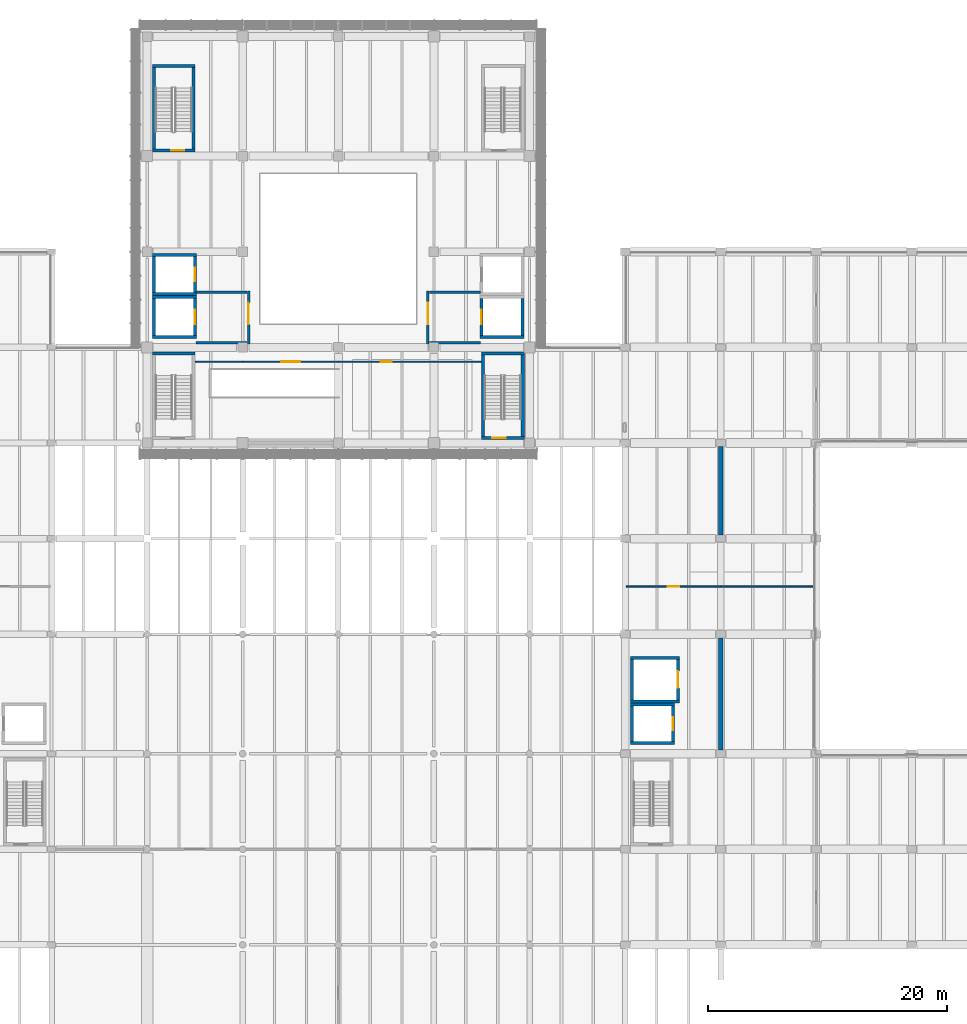
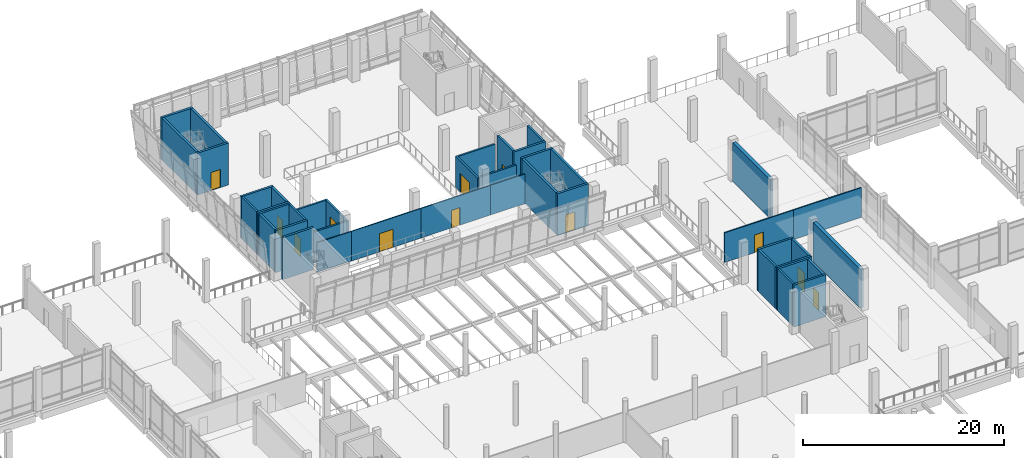
# One storey, part 36 of 61: 42 walls, 12 doors, 12 openings.
"""IFC4 building model written with IfcOpenShell, lengths in metres."""

from ifc_helpers import new_model, si_unit, direction, frame, frame_2d, origin, place, context, subcontext, project, spatial, rectangle, extrude, material, layer, layer_set, type_object, element, fill, save


model = new_model("IFC4")

# Units and contexts
model_context = context("Model", 3, precision=1e-05, world=origin(), true_north=direction((0.0, 1.0)))
body_context = subcontext(model_context, "Body", "Model", "MODEL_VIEW")
ifc_project = project(units=[si_unit("LENGTHUNIT", "METRE"), si_unit("AREAUNIT", "SQUARE_METRE"), si_unit("VOLUMEUNIT", "CUBIC_METRE"), si_unit("PLANEANGLEUNIT", "RADIAN"), si_unit("MASSUNIT", "GRAM", prefix="KILO")], contexts=[model_context])

# Site, building, storey
site_placement = place(None, origin())
site = spatial("IfcSite", under=ifc_project, at=site_placement, CompositionType="ELEMENT")
building_placement = place(site_placement, origin())
building = spatial("IfcBuilding", under=site, at=building_placement, Name="Pecanmere Concourse Central Library", CompositionType="ELEMENT")
storey_placement = place(building_placement, frame((0.0, 0.0, 5.39990234375)))
storey = spatial("IfcBuildingStorey", under=building, at=storey_placement, Name="L02", CompositionType="ELEMENT", Elevation=5.39990234375)

# Wall
ifc_material_1 = material(Name="Fire-rated gypsum board on acoustic steel stud", Category="steel")
ifc_layer_1 = layer(ifc_material_1, 0.114990234375, Name="IW_PART_115")
ifc_layer_set_1 = layer_set([ifc_layer_1], Name="Fire-rated gypsum board on acoustic steel stud")
wall_type_1 = type_object("IfcWallType", Name="IW_PART_115", PredefinedType="PARTITIONING", material=ifc_layer_set_1)
wall_1_placement = place(storey_placement, frame((76.030029296875, 96.800048828125, 0.0), z_axis=(0.0, 0.0, 1.0), x_axis=(1.0, 0.0, 0.0)))
element("IfcWall", 1, at=wall_1_placement, inside=storey, type_object=wall_type_1, Name="Interior Partition L02-0172", PredefinedType="PARTITIONING", context=body_context, shape_type="SweptSolid", body=[
    extrude(rectangle(XDim=3.969970703125, YDim=0.114990234375, at=frame_2d((1.98486328125, 0.0))), origin(), (0.0, 0.0, 1.0), 3.610107421875),
])

# Wall, opening, door
wall_2_placement = place(storey_placement, frame((80.02001953125, 96.800048828125, 0.0), z_axis=(0.0, 0.0, 1.0), x_axis=(1.0, 0.0, 0.0)))
wall_2 = element("IfcWall", 2, at=wall_2_placement, inside=storey, type_object=wall_type_1, Name="Interior Partition L02-0173", PredefinedType="PARTITIONING", context=body_context, shape_type="SweptSolid", body=[
    extrude(rectangle(XDim=7.97998046875, YDim=0.114990234375, at=frame_2d((3.989990234375, 0.0))), origin(), (0.0, 0.0, 1.0), 3.610107421875),
])
opening_1_placement = place(wall_2_placement, frame((3.18994140625, 0.0, 0.0)))
opening_1 = element("IfcOpeningElement", 3, at=opening_1_placement, cuts=wall_2, Name="Opening DT-02", PredefinedType="OPENING", context=body_context, shape_type="SweptSolid", body=[
    extrude(rectangle(XDim=1.60009765625, YDim=2.199951171875, at=frame_2d((0.800048828125, 1.10009765625))), frame((0.0, 0.0693359375, 0.0), z_axis=(0.0, -1.0, 0.0), x_axis=(1.0, 0.0, 0.0)), (0.0, 0.0, 1.0), 0.138916015625),
])
ifc_material_2 = material(Name="Solid white oak architectural joinery")
door_type_1 = type_object("IfcDoorType", Name="DT-02", OperationType="DOUBLE_DOOR_SINGLE_SWING", PredefinedType="DOOR", material=ifc_material_2)
door_1_placement = place(opening_1_placement, frame((1.60009765625, 0.0, 0.0), z_axis=(0.0, 0.0, 1.0), x_axis=(-1.0, 0.0, 0.0)))
door_1 = element("IfcDoor", 4, at=door_1_placement, inside=storey, type_object=door_type_1, Name="D-205", OperationType="DOUBLE_DOOR_SINGLE_SWING", OverallHeight=2.199951171875, OverallWidth=1.60009765625, PredefinedType="DOOR", context=body_context, shape_type="SweptSolid", body=[
    extrude(rectangle(XDim=1.60009765625, YDim=2.199951171875, at=frame_2d((0.800048828125, 1.10009765625))), frame((0.0, 0.02490234375, 0.0), z_axis=(0.0, -1.0, 0.0), x_axis=(1.0, 0.0, 0.0)), (0.0, 0.0, 1.0), 0.050048828125),
])
fill(opening_1, door_1)

wall_3_placement = place(storey_placement, frame((88.02001953125, 96.800048828125, 0.0), z_axis=(0.0, 0.0, 1.0), x_axis=(1.0, 0.0, 0.0)))
wall_3 = element("IfcWall", 5, at=wall_3_placement, inside=storey, type_object=wall_type_1, Name="Interior Partition L02-0174", PredefinedType="PARTITIONING", context=body_context, shape_type="SweptSolid", body=[
    extrude(rectangle(XDim=7.97998046875, YDim=0.114990234375, at=frame_2d((3.989990234375, 0.0))), origin(), (0.0, 0.0, 1.0), 3.610107421875),
])
opening_2_placement = place(wall_3_placement, frame((3.514892578125, 0.0, 0.0)))
opening_2 = element("IfcOpeningElement", 6, at=opening_2_placement, cuts=wall_3, Name="Opening DT-06", PredefinedType="OPENING", context=body_context, shape_type="SweptSolid", body=[
    extrude(rectangle(XDim=0.949951171875, YDim=2.14990234375, at=frame_2d((0.47509765625, 1.074951171875))), frame((0.0, 0.0693359375, 0.0), z_axis=(0.0, -1.0, 0.0), x_axis=(1.0, 0.0, 0.0)), (0.0, 0.0, 1.0), 0.138916015625),
])
ifc_material_3 = material(Name="Solid white oak architectural joinery")
door_type_2 = type_object("IfcDoorType", Name="DT-06", OperationType="SINGLE_SWING_RIGHT", PredefinedType="DOOR", material=ifc_material_3)
door_2_placement = place(opening_2_placement, origin())
door_2 = element("IfcDoor", 7, at=door_2_placement, inside=storey, type_object=door_type_2, Name="D-206", OperationType="SINGLE_SWING_RIGHT", OverallHeight=2.14990234375, OverallWidth=0.949951171875, PredefinedType="DOOR", context=body_context, shape_type="SweptSolid", body=[
    extrude(rectangle(XDim=0.949951171875, YDim=2.14990234375, at=frame_2d((0.47509765625, 1.074951171875))), frame((0.0, 0.02490234375, 0.0), z_axis=(0.0, -1.0, 0.0), x_axis=(1.0, 0.0, 0.0)), (0.0, 0.0, 1.0), 0.050048828125),
])
fill(opening_2, door_2)

# Wall
wall_4_placement = place(storey_placement, frame((96.02001953125, 96.800048828125, 0.0), z_axis=(0.0, 0.0, 1.0), x_axis=(1.0, 0.0, 0.0)))
element("IfcWall", 8, at=wall_4_placement, inside=storey, type_object=wall_type_1, Name="Interior Partition L02-0175", PredefinedType="PARTITIONING", context=body_context, shape_type="SweptSolid", body=[
    extrude(rectangle(XDim=3.949951171875, YDim=0.114990234375, at=frame_2d((1.97509765625, 0.0))), origin(), (0.0, 0.0, 1.0), 3.610107421875),
])

# Wall, opening, door
ifc_material_4 = material(Name="Fire-rated gypsum board on acoustic steel stud", Category="steel")
ifc_layer_2 = layer(ifc_material_4, 0.135009765625, Name="IW_PART_135")
ifc_layer_set_2 = layer_set([ifc_layer_2], Name="Fire-rated gypsum board on acoustic steel stud")
wall_type_2 = type_object("IfcWallType", Name="IW_PART_135", PredefinedType="PARTITIONING", material=ifc_layer_set_2)
wall_5_placement = place(storey_placement, frame((112.10009765625, 78.0, 0.0), z_axis=(0.0, 0.0, 1.0), x_axis=(1.0, 0.0, 0.0)))
wall_5 = element("IfcWall", 9, at=wall_5_placement, inside=storey, type_object=wall_type_2, Name="Interior Partition L02-0168", PredefinedType="PARTITIONING", context=body_context, shape_type="SweptSolid", body=[
    extrude(rectangle(XDim=7.89990234375, YDim=0.135009765625, at=frame_2d((3.949951171875, 0.0))), origin(), (0.0, 0.0, 1.0), 3.610107421875),
])
opening_3_placement = place(wall_5_placement, frame((3.449951171875, 0.0, 0.0)))
opening_3 = element("IfcOpeningElement", 10, at=opening_3_placement, cuts=wall_5, Name="Opening DT-03", PredefinedType="OPENING", context=body_context, shape_type="SweptSolid", body=[
    extrude(rectangle(XDim=1.0, YDim=2.14990234375, at=frame_2d((0.5, 1.074951171875))), frame((0.0, 0.07958984375, 0.0), z_axis=(0.0, -1.0, 0.0), x_axis=(1.0, 0.0, 0.0)), (0.0, 0.0, 1.0), 0.158935546875),
])
ifc_material_5 = material(Name="Solid white oak architectural joinery")
door_type_3 = type_object("IfcDoorType", Name="DT-03", OperationType="SINGLE_SWING_LEFT", PredefinedType="DOOR", material=ifc_material_5)
door_3_placement = place(opening_3_placement, origin())
door_3 = element("IfcDoor", 11, at=door_3_placement, inside=storey, type_object=door_type_3, Name="D-202", OperationType="SINGLE_SWING_LEFT", OverallHeight=2.14990234375, OverallWidth=1.0, PredefinedType="DOOR", context=body_context, shape_type="SweptSolid", body=[
    extrude(rectangle(XDim=1.0, YDim=2.14990234375, at=frame_2d((0.5, 1.074951171875))), frame((0.0, 0.02490234375, 0.0), z_axis=(0.0, -1.0, 0.0), x_axis=(1.0, 0.0, 0.0)), (0.0, 0.0, 1.0), 0.050048828125),
])
fill(opening_3, door_3)

# Walls
wall_6_placement = place(storey_placement, frame((120.02001953125, 78.0, 0.0), z_axis=(0.0, 0.0, 1.0), x_axis=(1.0, 0.0, 0.0)))
element("IfcWall", 12, at=wall_6_placement, inside=storey, type_object=wall_type_2, Name="Interior Partition L02-0169", PredefinedType="PARTITIONING", context=body_context, shape_type="SweptSolid", body=[
    extrude(rectangle(XDim=7.800048828125, YDim=0.135009765625, at=frame_2d((3.89990234375, 0.0))), origin(), (0.0, 0.0, 1.0), 3.610107421875),
])
ifc_material_6 = material(Name="Fire-rated gypsum board on acoustic steel stud", Category="steel")
ifc_layer_3 = layer(ifc_material_6, 0.199951171875, Name="IW_PART_200")
ifc_layer_set_3 = layer_set([ifc_layer_3], Name="Fire-rated gypsum board on acoustic steel stud")
wall_type_3 = type_object("IfcWallType", Name="IW_PART_200", PredefinedType="PARTITIONING", material=ifc_layer_set_3)
for number, where, z_axis, x_axis, name in (
    (13, (76.10009765625, 98.39990234375, 0.0), (0.0, 0.0, 1.0), (1.0, 0.0, 0.0), "Firefighting Lobby Wall W-L02-S"),
    (14, (76.10009765625, 102.60009765625, 0.0), (0.0, 0.0, 1.0), (1.0, 0.0, 0.0), "Firefighting Lobby Wall W-L02-N"),
):
    element("IfcWall", number, at=place(storey_placement, frame(where, z_axis=z_axis, x_axis=x_axis)), inside=storey, type_object=wall_type_3, Name=name, PredefinedType="PARTITIONING", context=body_context, shape_type="SweptSolid", body=[
        extrude(rectangle(XDim=4.27978515625, YDim=0.199951171875, at=frame_2d((2.139892578125, 0.0))), origin(), (0.0, 0.0, 1.0), 3.780029296875),
    ])

# Wall, opening, door
wall_7_placement = place(storey_placement, frame((80.5, 98.300048828125, 0.0), z_axis=(0.0, 0.0, 1.0), x_axis=(0.0, 1.0, 0.0)))
wall_7 = element("IfcWall", 15, at=wall_7_placement, inside=storey, type_object=wall_type_3, Name="Firefighting Lobby Door Wall W-L02", PredefinedType="PARTITIONING", context=body_context, shape_type="SweptSolid", body=[
    extrude(rectangle(XDim=4.39990234375, YDim=0.199951171875, at=frame_2d((2.199951171875, 0.0))), origin(), (0.0, 0.0, 1.0), 3.780029296875),
])
opening_4_placement = place(wall_7_placement, frame((1.6201171875, 0.0, 0.0)))
opening_4 = element("IfcOpeningElement", 16, at=opening_4_placement, cuts=wall_7, Name="Opening FD-03", PredefinedType="OPENING", context=body_context, shape_type="SweptSolid", body=[
    extrude(rectangle(XDim=1.800048828125, YDim=2.25, at=frame_2d((0.89990234375, 1.125))), frame((0.0, 0.11181640625, 0.0), z_axis=(0.0, -1.0, 0.0), x_axis=(1.0, 0.0, 0.0)), (0.0, 0.0, 1.0), 0.223876953125),
])
ifc_material_7 = material(Name="Painted architectural steel ASTM A36", Category="steel")
door_type_4 = type_object("IfcDoorType", Name="FD-03", OperationType="DOUBLE_DOOR_SINGLE_SWING", PredefinedType="DOOR", material=ifc_material_7)
door_4_placement = place(opening_4_placement, origin())
door_4 = element("IfcDoor", 17, at=door_4_placement, inside=storey, type_object=door_type_4, Name="D-113", OperationType="DOUBLE_DOOR_SINGLE_SWING", OverallHeight=2.25, OverallWidth=1.800048828125, PredefinedType="DOOR", context=body_context, shape_type="SweptSolid", body=[
    extrude(rectangle(XDim=1.800048828125, YDim=2.25, at=frame_2d((0.89990234375, 1.125))), frame((0.0, 0.02490234375, 0.0), z_axis=(0.0, -1.0, 0.0), x_axis=(1.0, 0.0, 0.0)), (0.0, 0.0, 1.0), 0.050048828125),
])
fill(opening_4, door_4)

# Walls
for number, where, z_axis, x_axis, name in (
    (18, (95.6201171875, 98.39990234375, 0.0), (0.0, 0.0, 1.0), (1.0, 0.0, 0.0), "Firefighting Lobby Wall E-L02-S"),
    (19, (95.6201171875, 102.60009765625, 0.0), (0.0, 0.0, 1.0), (1.0, 0.0, 0.0), "Firefighting Lobby Wall E-L02-N"),
):
    element("IfcWall", number, at=place(storey_placement, frame(where, z_axis=z_axis, x_axis=x_axis)), inside=storey, type_object=wall_type_3, Name=name, PredefinedType="PARTITIONING", context=body_context, shape_type="SweptSolid", body=[
        extrude(rectangle(XDim=4.27978515625, YDim=0.199951171875, at=frame_2d((2.139892578125, 0.0))), origin(), (0.0, 0.0, 1.0), 3.780029296875),
    ])

# Wall, opening, door
wall_8_placement = place(storey_placement, frame((95.5, 98.300048828125, 0.0), z_axis=(0.0, 0.0, 1.0), x_axis=(0.0, 1.0, 0.0)))
wall_8 = element("IfcWall", 20, at=wall_8_placement, inside=storey, type_object=wall_type_3, Name="Firefighting Lobby Door Wall E-L02", PredefinedType="PARTITIONING", context=body_context, shape_type="SweptSolid", body=[
    extrude(rectangle(XDim=4.39990234375, YDim=0.199951171875, at=frame_2d((2.199951171875, 0.0))), origin(), (0.0, 0.0, 1.0), 3.780029296875),
])
opening_5_placement = place(wall_8_placement, frame((1.6201171875, 0.0, 0.0)))
opening_5 = element("IfcOpeningElement", 21, at=opening_5_placement, cuts=wall_8, Name="Opening FD-03", PredefinedType="OPENING", context=body_context, shape_type="SweptSolid", body=[
    extrude(rectangle(XDim=1.800048828125, YDim=2.25, at=frame_2d((0.89990234375, 1.125))), frame((0.0, 0.11181640625, 0.0), z_axis=(0.0, -1.0, 0.0), x_axis=(1.0, 0.0, 0.0)), (0.0, 0.0, 1.0), 0.223876953125),
])
door_5_placement = place(opening_5_placement, origin())
door_5 = element("IfcDoor", 22, at=door_5_placement, inside=storey, type_object=door_type_4, Name="D-114", OperationType="DOUBLE_DOOR_SINGLE_SWING", OverallHeight=2.25, OverallWidth=1.800048828125, PredefinedType="DOOR", context=body_context, shape_type="SweptSolid", body=[
    extrude(rectangle(XDim=1.800048828125, YDim=2.25, at=frame_2d((0.89990234375, 1.125))), frame((0.0, 0.02490234375, 0.0), z_axis=(0.0, -1.0, 0.0), x_axis=(1.0, 0.0, 0.0)), (0.0, 0.0, 1.0), 0.050048828125),
])
fill(opening_5, door_5)

# Walls
ifc_material_8 = material(Name="Concrete C40/50", Category="concrete")
ifc_layer_4 = layer(ifc_material_8, 0.3798828125, Name="WALL_SHR_380")
ifc_layer_set_4 = layer_set([ifc_layer_4], Name="Concrete C40/50")
wall_type_4 = type_object("IfcWallType", Name="WALL_SHR_380", PredefinedType="SHEAR", material=ifc_layer_set_4)
wall_9_placement = place(storey_placement, frame((120.0, 64.300048828125, 0.0), z_axis=(0.0, 0.0, 1.0), x_axis=(0.0, 1.0, 0.0)))
element("IfcWall", 23, at=wall_9_placement, inside=storey, type_object=wall_type_4, Name="Lateral Shear Wall L02-003", PredefinedType="SHEAR", context=body_context, shape_type="SweptSolid", body=[
    extrude(rectangle(XDim=9.39990234375, YDim=0.3798828125, at=frame_2d((4.699951171875, 0.0))), origin(), (0.0, 0.0, 1.0), 4.760009765625),
])
wall_10_placement = place(storey_placement, frame((120.0, 82.300048828125, 0.0), z_axis=(0.0, 0.0, 1.0), x_axis=(0.0, 1.0, 0.0)))
element("IfcWall", 24, at=wall_10_placement, inside=storey, type_object=wall_type_4, Name="Lateral Shear Wall L02-009", PredefinedType="SHEAR", context=body_context, shape_type="SweptSolid", body=[
    extrude(rectangle(XDim=7.39990234375, YDim=0.3798828125, at=frame_2d((3.699951171875, 0.0))), origin(), (0.0, 0.0, 1.0), 4.760009765625),
])
ifc_material_9 = material(Name="Concrete C40/50", Category="concrete")
ifc_layer_5 = layer(ifc_material_9, 0.239990234375, Name="WALL_SLD_240")
ifc_layer_set_5 = layer_set([ifc_layer_5], Name="Concrete C40/50")
wall_type_5 = type_object("IfcWallType", Name="WALL_SLD_240", PredefinedType="SOLIDWALL", material=ifc_layer_set_5)
for number, where, z_axis, x_axis, name in (
    (25, (72.4599609375, 98.8798828125, 0.0), (0.0, 0.0, 1.0), (1.0, 0.0, 0.0), "Hoistway Wall LF-01 L02-S"),
    (26, (72.4599609375, 102.219970703125, 0.0), (0.0, 0.0, 1.0), (1.0, 0.0, 0.0), "Hoistway Wall LF-01 L02-N"),
):
    element("IfcWall", number, at=place(storey_placement, frame(where, z_axis=z_axis, x_axis=x_axis)), inside=storey, type_object=wall_type_5, Name=name, PredefinedType="SOLIDWALL", context=body_context, shape_type="SweptSolid", body=[
        extrude(rectangle(XDim=3.679931640625, YDim=0.239990234375, at=frame_2d((1.83984375, 0.0))), origin(), (0.0, 0.0, 1.0), 5.10009765625),
    ])
wall_11_placement = place(storey_placement, frame((72.580078125, 99.0, 0.0), z_axis=(0.0, 0.0, 1.0), x_axis=(0.0, 1.0, 0.0)))
element("IfcWall", 27, at=wall_11_placement, inside=storey, type_object=wall_type_5, Name="Hoistway Wall LF-01 L02-W", PredefinedType="SOLIDWALL", context=body_context, shape_type="SweptSolid", body=[
    extrude(rectangle(XDim=3.10009765625, YDim=0.239990234375, at=frame_2d((1.550048828125, 0.0))), origin(), (0.0, 0.0, 1.0), 5.10009765625),
])

# Wall, opening, door
wall_12_placement = place(storey_placement, frame((76.02001953125, 99.0, 0.0), z_axis=(0.0, 0.0, 1.0), x_axis=(0.0, 1.0, 0.0)))
wall_12 = element("IfcWall", 28, at=wall_12_placement, inside=storey, type_object=wall_type_5, Name="Hoistway Wall LF-01 L02-E", PredefinedType="SOLIDWALL", context=body_context, shape_type="SweptSolid", body=[
    extrude(rectangle(XDim=3.10009765625, YDim=0.239990234375, at=frame_2d((1.550048828125, 0.0))), origin(), (0.0, 0.0, 1.0), 5.10009765625),
])
opening_6_placement = place(wall_12_placement, frame((0.949951171875, 0.0, 0.0)))
opening_6 = element("IfcOpeningElement", 29, at=opening_6_placement, cuts=wall_12, Name="Opening LD-02", PredefinedType="OPENING", context=body_context, shape_type="SweptSolid", body=[
    extrude(rectangle(XDim=1.199951171875, YDim=2.199951171875, at=frame_2d((0.60009765625, 1.10009765625))), frame((0.0, 0.1318359375, 0.0), z_axis=(0.0, -1.0, 0.0), x_axis=(1.0, 0.0, 0.0)), (0.0, 0.0, 1.0), 0.263916015625),
])
ifc_material_10 = material(Name="Brushed stainless steel Grade 316", Category="steel")
door_type_5 = type_object("IfcDoorType", Name="LD-02", OperationType="DOUBLE_DOOR_SLIDING", PredefinedType="DOOR", material=ifc_material_10)
door_6_placement = place(opening_6_placement, origin())
door_6 = element("IfcDoor", 30, at=door_6_placement, inside=storey, type_object=door_type_5, Name="LD-LF-01-L02", OperationType="DOUBLE_DOOR_SLIDING", OverallHeight=2.199951171875, OverallWidth=1.199951171875, PredefinedType="DOOR", context=body_context, shape_type="SweptSolid", body=[
    extrude(rectangle(XDim=1.199951171875, YDim=2.199951171875, at=frame_2d((0.60009765625, 1.10009765625))), frame((0.0, 0.02490234375, 0.0), z_axis=(0.0, -1.0, 0.0), x_axis=(1.0, 0.0, 0.0)), (0.0, 0.0, 1.0), 0.050048828125),
])
fill(opening_6, door_6)

# Walls
for number, where, z_axis, x_axis, name in (
    (31, (72.4599609375, 102.47998046875, 0.0), (0.0, 0.0, 1.0), (1.0, 0.0, 0.0), "Hoistway Wall LP-01 L02-S"),
    (32, (72.4599609375, 105.719970703125, 0.0), (0.0, 0.0, 1.0), (1.0, 0.0, 0.0), "Hoistway Wall LP-01 L02-N"),
):
    element("IfcWall", number, at=place(storey_placement, frame(where, z_axis=z_axis, x_axis=x_axis)), inside=storey, type_object=wall_type_5, Name=name, PredefinedType="SOLIDWALL", context=body_context, shape_type="SweptSolid", body=[
        extrude(rectangle(XDim=3.679931640625, YDim=0.239990234375, at=frame_2d((1.83984375, 0.0))), origin(), (0.0, 0.0, 1.0), 5.10009765625),
    ])
wall_13_placement = place(storey_placement, frame((72.580078125, 102.60009765625, 0.0), z_axis=(0.0, 0.0, 1.0), x_axis=(0.0, 1.0, 0.0)))
element("IfcWall", 33, at=wall_13_placement, inside=storey, type_object=wall_type_5, Name="Hoistway Wall LP-01 L02-W", PredefinedType="SOLIDWALL", context=body_context, shape_type="SweptSolid", body=[
    extrude(rectangle(XDim=3.0, YDim=0.239990234375, at=frame_2d((1.5, 0.0))), origin(), (0.0, 0.0, 1.0), 5.10009765625),
])

# Wall, opening, door
wall_14_placement = place(storey_placement, frame((76.02001953125, 102.60009765625, 0.0), z_axis=(0.0, 0.0, 1.0), x_axis=(0.0, 1.0, 0.0)))
wall_14 = element("IfcWall", 34, at=wall_14_placement, inside=storey, type_object=wall_type_5, Name="Hoistway Wall LP-01 L02-E", PredefinedType="SOLIDWALL", context=body_context, shape_type="SweptSolid", body=[
    extrude(rectangle(XDim=3.0, YDim=0.239990234375, at=frame_2d((1.5, 0.0))), origin(), (0.0, 0.0, 1.0), 5.10009765625),
])
opening_7_placement = place(wall_14_placement, frame((0.949951171875, 0.0, 0.0)))
opening_7 = element("IfcOpeningElement", 35, at=opening_7_placement, cuts=wall_14, Name="Opening LD-01", PredefinedType="OPENING", context=body_context, shape_type="SweptSolid", body=[
    extrude(rectangle(XDim=1.10009765625, YDim=2.199951171875, at=frame_2d((0.550048828125, 1.10009765625))), frame((0.0, 0.1318359375, 0.0), z_axis=(0.0, -1.0, 0.0), x_axis=(1.0, 0.0, 0.0)), (0.0, 0.0, 1.0), 0.263916015625),
])
ifc_material_11 = material(Name="Brushed stainless steel Grade 316", Category="steel")
door_type_6 = type_object("IfcDoorType", Name="LD-01", OperationType="DOUBLE_DOOR_SLIDING", PredefinedType="DOOR", material=ifc_material_11)
door_7_placement = place(opening_7_placement, origin())
door_7 = element("IfcDoor", 36, at=door_7_placement, inside=storey, type_object=door_type_6, Name="LD-LP-01-L02", OperationType="DOUBLE_DOOR_SLIDING", OverallHeight=2.199951171875, OverallWidth=1.10009765625, PredefinedType="DOOR", context=body_context, shape_type="SweptSolid", body=[
    extrude(rectangle(XDim=1.10009765625, YDim=2.199951171875, at=frame_2d((0.550048828125, 1.10009765625))), frame((0.0, 0.02490234375, 0.0), z_axis=(0.0, -1.0, 0.0), x_axis=(1.0, 0.0, 0.0)), (0.0, 0.0, 1.0), 0.050048828125),
])
fill(opening_7, door_7)

# Wall
wall_15_placement = place(storey_placement, frame((99.860107421875, 98.8798828125, 0.0), z_axis=(0.0, 0.0, 1.0), x_axis=(1.0, 0.0, 0.0)))
element("IfcWall", 37, at=wall_15_placement, inside=storey, type_object=wall_type_5, Name="Hoistway Wall LF-02 L02-S", PredefinedType="SOLIDWALL", context=body_context, shape_type="SweptSolid", body=[
    extrude(rectangle(XDim=3.679931640625, YDim=0.239990234375, at=frame_2d((1.83984375, 0.0))), origin(), (0.0, 0.0, 1.0), 5.10009765625),
])

# Wall, opening, door
wall_16_placement = place(storey_placement, frame((99.97998046875, 99.0, 0.0), z_axis=(0.0, 0.0, 1.0), x_axis=(0.0, 1.0, 0.0)))
wall_16 = element("IfcWall", 38, at=wall_16_placement, inside=storey, type_object=wall_type_5, Name="Hoistway Wall LF-02 L02-W", PredefinedType="SOLIDWALL", context=body_context, shape_type="SweptSolid", body=[
    extrude(rectangle(XDim=3.10009765625, YDim=0.239990234375, at=frame_2d((1.550048828125, 0.0))), origin(), (0.0, 0.0, 1.0), 5.10009765625),
])
opening_8_placement = place(wall_16_placement, frame((0.949951171875, 0.0, 0.0)))
opening_8 = element("IfcOpeningElement", 39, at=opening_8_placement, cuts=wall_16, Name="Opening LD-02", PredefinedType="OPENING", context=body_context, shape_type="SweptSolid", body=[
    extrude(rectangle(XDim=1.199951171875, YDim=2.199951171875, at=frame_2d((0.60009765625, 1.10009765625))), frame((0.0, 0.1318359375, 0.0), z_axis=(0.0, -1.0, 0.0), x_axis=(1.0, 0.0, 0.0)), (0.0, 0.0, 1.0), 0.263916015625),
])
door_8_placement = place(opening_8_placement, origin())
door_8 = element("IfcDoor", 40, at=door_8_placement, inside=storey, type_object=door_type_5, Name="LD-LF-02-L02", OperationType="DOUBLE_DOOR_SLIDING", OverallHeight=2.199951171875, OverallWidth=1.199951171875, PredefinedType="DOOR", context=body_context, shape_type="SweptSolid", body=[
    extrude(rectangle(XDim=1.199951171875, YDim=2.199951171875, at=frame_2d((0.60009765625, 1.10009765625))), frame((0.0, 0.02490234375, 0.0), z_axis=(0.0, -1.0, 0.0), x_axis=(1.0, 0.0, 0.0)), (0.0, 0.0, 1.0), 0.050048828125),
])
fill(opening_8, door_8)

# Walls
wall_17_placement = place(storey_placement, frame((103.419921875, 99.0, 0.0), z_axis=(0.0, 0.0, 1.0), x_axis=(0.0, 1.0, 0.0)))
element("IfcWall", 41, at=wall_17_placement, inside=storey, type_object=wall_type_5, Name="Hoistway Wall LF-02 L02-E", PredefinedType="SOLIDWALL", context=body_context, shape_type="SweptSolid", body=[
    extrude(rectangle(XDim=3.10009765625, YDim=0.239990234375, at=frame_2d((1.550048828125, 0.0))), origin(), (0.0, 0.0, 1.0), 5.10009765625),
])
for number, where, z_axis, x_axis, name in (
    (42, (112.4599609375, 64.8798828125, 0.0), (0.0, 0.0, 1.0), (1.0, 0.0, 0.0), "Hoistway Wall LP-03 L02-S"),
    (43, (112.4599609375, 68.1201171875, 0.0), (0.0, 0.0, 1.0), (1.0, 0.0, 0.0), "Hoistway Wall LP-03 L02-N"),
):
    element("IfcWall", number, at=place(storey_placement, frame(where, z_axis=z_axis, x_axis=x_axis)), inside=storey, type_object=wall_type_5, Name=name, PredefinedType="SOLIDWALL", context=body_context, shape_type="SweptSolid", body=[
        extrude(rectangle(XDim=3.679931640625, YDim=0.239990234375, at=frame_2d((1.83984375, 0.0))), origin(), (0.0, 0.0, 1.0), 5.10009765625),
    ])
wall_18_placement = place(storey_placement, frame((112.580078125, 65.0, 0.0), z_axis=(0.0, 0.0, 1.0), x_axis=(0.0, 1.0, 0.0)))
element("IfcWall", 44, at=wall_18_placement, inside=storey, type_object=wall_type_5, Name="Hoistway Wall LP-03 L02-W", PredefinedType="SOLIDWALL", context=body_context, shape_type="SweptSolid", body=[
    extrude(rectangle(XDim=3.0, YDim=0.239990234375, at=frame_2d((1.5, 0.0))), origin(), (0.0, 0.0, 1.0), 5.10009765625),
])

# Wall, opening, door
wall_19_placement = place(storey_placement, frame((116.02001953125, 65.0, 0.0), z_axis=(0.0, 0.0, 1.0), x_axis=(0.0, 1.0, 0.0)))
wall_19 = element("IfcWall", 45, at=wall_19_placement, inside=storey, type_object=wall_type_5, Name="Hoistway Wall LP-03 L02-E", PredefinedType="SOLIDWALL", context=body_context, shape_type="SweptSolid", body=[
    extrude(rectangle(XDim=3.0, YDim=0.239990234375, at=frame_2d((1.5, 0.0))), origin(), (0.0, 0.0, 1.0), 5.10009765625),
])
opening_9_placement = place(wall_19_placement, frame((0.949951171875, 0.0, 0.0)))
opening_9 = element("IfcOpeningElement", 46, at=opening_9_placement, cuts=wall_19, Name="Opening LD-01", PredefinedType="OPENING", context=body_context, shape_type="SweptSolid", body=[
    extrude(rectangle(XDim=1.10009765625, YDim=2.199951171875, at=frame_2d((0.550048828125, 1.10009765625))), frame((0.0, 0.1318359375, 0.0), z_axis=(0.0, -1.0, 0.0), x_axis=(1.0, 0.0, 0.0)), (0.0, 0.0, 1.0), 0.263916015625),
])
door_9_placement = place(opening_9_placement, origin())
door_9 = element("IfcDoor", 47, at=door_9_placement, inside=storey, type_object=door_type_6, Name="LD-LP-03-L02", OperationType="DOUBLE_DOOR_SLIDING", OverallHeight=2.199951171875, OverallWidth=1.10009765625, PredefinedType="DOOR", context=body_context, shape_type="SweptSolid", body=[
    extrude(rectangle(XDim=1.10009765625, YDim=2.199951171875, at=frame_2d((0.550048828125, 1.10009765625))), frame((0.0, 0.02490234375, 0.0), z_axis=(0.0, -1.0, 0.0), x_axis=(1.0, 0.0, 0.0)), (0.0, 0.0, 1.0), 0.050048828125),
])
fill(opening_9, door_9)

# Walls
for number, where, z_axis, x_axis, name in (
    (48, (112.4599609375, 68.3798828125, 0.0), (0.0, 0.0, 1.0), (1.0, 0.0, 0.0), "Hoistway Wall LS-01 L02-S"),
    (49, (112.4599609375, 72.02001953125, 0.0), (0.0, 0.0, 1.0), (1.0, 0.0, 0.0), "Hoistway Wall LS-01 L02-N"),
):
    element("IfcWall", number, at=place(storey_placement, frame(where, z_axis=z_axis, x_axis=x_axis)), inside=storey, type_object=wall_type_5, Name=name, PredefinedType="SOLIDWALL", context=body_context, shape_type="SweptSolid", body=[
        extrude(rectangle(XDim=4.080078125, YDim=0.239990234375, at=frame_2d((2.0400390625, 0.0))), origin(), (0.0, 0.0, 1.0), 5.10009765625),
    ])
wall_20_placement = place(storey_placement, frame((112.580078125, 68.5, 0.0), z_axis=(0.0, 0.0, 1.0), x_axis=(0.0, 1.0, 0.0)))
element("IfcWall", 50, at=wall_20_placement, inside=storey, type_object=wall_type_5, Name="Hoistway Wall LS-01 L02-W", PredefinedType="SOLIDWALL", context=body_context, shape_type="SweptSolid", body=[
    extrude(rectangle(XDim=3.39990234375, YDim=0.239990234375, at=frame_2d((1.699951171875, 0.0))), origin(), (0.0, 0.0, 1.0), 5.10009765625),
])

# Wall, opening, door
wall_21_placement = place(storey_placement, frame((116.419921875, 68.5, 0.0), z_axis=(0.0, 0.0, 1.0), x_axis=(0.0, 1.0, 0.0)))
wall_21 = element("IfcWall", 51, at=wall_21_placement, inside=storey, type_object=wall_type_5, Name="Hoistway Wall LS-01 L02-E", PredefinedType="SOLIDWALL", context=body_context, shape_type="SweptSolid", body=[
    extrude(rectangle(XDim=3.39990234375, YDim=0.239990234375, at=frame_2d((1.699951171875, 0.0))), origin(), (0.0, 0.0, 1.0), 5.10009765625),
])
opening_10_placement = place(wall_21_placement, frame((1.0, 0.0, 0.0)))
opening_10 = element("IfcOpeningElement", 52, at=opening_10_placement, cuts=wall_21, Name="Opening LD-03", PredefinedType="OPENING", context=body_context, shape_type="SweptSolid", body=[
    extrude(rectangle(XDim=1.39990234375, YDim=2.300048828125, at=frame_2d((0.699951171875, 1.14990234375))), frame((0.0, 0.1318359375, 0.0), z_axis=(0.0, -1.0, 0.0), x_axis=(1.0, 0.0, 0.0)), (0.0, 0.0, 1.0), 0.263916015625),
])
ifc_material_12 = material(Name="Brushed stainless steel Grade 316", Category="steel")
door_type_7 = type_object("IfcDoorType", Name="LD-03", OperationType="DOUBLE_DOOR_SLIDING", PredefinedType="DOOR", material=ifc_material_12)
door_10_placement = place(opening_10_placement, origin())
door_10 = element("IfcDoor", 53, at=door_10_placement, inside=storey, type_object=door_type_7, Name="LD-LS-01-L02", OperationType="DOUBLE_DOOR_SLIDING", OverallHeight=2.300048828125, OverallWidth=1.39990234375, PredefinedType="DOOR", context=body_context, shape_type="SweptSolid", body=[
    extrude(rectangle(XDim=1.39990234375, YDim=2.300048828125, at=frame_2d((0.699951171875, 1.14990234375))), frame((0.0, 0.02490234375, 0.0), z_axis=(0.0, -1.0, 0.0), x_axis=(1.0, 0.0, 0.0)), (0.0, 0.0, 1.0), 0.050048828125),
])
fill(opening_10, door_10)

# Wall
ifc_material_13 = material(Name="Concrete C40/50", Category="concrete")
ifc_layer_6 = layer(ifc_material_13, 0.260009765625, Name="WALL_SLD_260")
ifc_layer_set_6 = layer_set([ifc_layer_6], Name="Concrete C40/50")
wall_type_6 = type_object("IfcWallType", Name="WALL_SLD_260", PredefinedType="SOLIDWALL", material=ifc_layer_set_6)
wall_22_placement = place(storey_placement, frame((72.43994140625, 97.5, 0.0), z_axis=(0.0, 0.0, 1.0), x_axis=(1.0, 0.0, 0.0)))
element("IfcWall", 54, at=wall_22_placement, inside=storey, type_object=wall_type_6, Name="Core C1 North Wall L02", PredefinedType="SOLIDWALL", context=body_context, shape_type="SweptSolid", body=[
    extrude(rectangle(XDim=3.580078125, YDim=0.260009765625, at=frame_2d((1.7900390625, 0.0))), origin(), (0.0, 0.0, 1.0), 5.10009765625),
])

# Wall, opening, door
wall_23_placement = place(storey_placement, frame((99.97998046875, 90.419921875, 0.0), z_axis=(0.0, 0.0, 1.0), x_axis=(1.0, 0.0, 0.0)))
wall_23 = element("IfcWall", 55, at=wall_23_placement, inside=storey, type_object=wall_type_6, Name="Core C2 South Wall L02", PredefinedType="SOLIDWALL", context=body_context, shape_type="SweptSolid", body=[
    extrude(rectangle(XDim=3.580078125, YDim=0.260009765625, at=frame_2d((1.7900390625, 0.0))), origin(), (0.0, 0.0, 1.0), 5.10009765625),
])
opening_11_placement = place(wall_23_placement, frame((0.919921875, 0.0, 0.0)))
opening_11 = element("IfcOpeningElement", 56, at=opening_11_placement, cuts=wall_23, Name="Opening FD-01", PredefinedType="OPENING", context=body_context, shape_type="SweptSolid", body=[
    extrude(rectangle(XDim=1.10009765625, YDim=2.199951171875, at=frame_2d((0.550048828125, 1.10009765625))), frame((0.0, 0.14208984375, 0.0), z_axis=(0.0, -1.0, 0.0), x_axis=(1.0, 0.0, 0.0)), (0.0, 0.0, 1.0), 0.283935546875),
])
ifc_material_14 = material(Name="Painted architectural steel ASTM A36", Category="steel")
door_type_8 = type_object("IfcDoorType", Name="FD-01", OperationType="SINGLE_SWING_LEFT", PredefinedType="DOOR", material=ifc_material_14)
door_11_placement = place(opening_11_placement, origin())
door_11 = element("IfcDoor", 57, at=door_11_placement, inside=storey, type_object=door_type_8, Name="D-011", OperationType="SINGLE_SWING_LEFT", OverallHeight=2.199951171875, OverallWidth=1.10009765625, PredefinedType="DOOR", context=body_context, shape_type="SweptSolid", body=[
    extrude(rectangle(XDim=1.10009765625, YDim=2.199951171875, at=frame_2d((0.550048828125, 1.10009765625))), frame((0.0, 0.02490234375, 0.0), z_axis=(0.0, -1.0, 0.0), x_axis=(1.0, 0.0, 0.0)), (0.0, 0.0, 1.0), 0.050048828125),
])
fill(opening_11, door_11)

# Walls
wall_24_placement = place(storey_placement, frame((99.97998046875, 97.5, 0.0), z_axis=(0.0, 0.0, 1.0), x_axis=(1.0, 0.0, 0.0)))
element("IfcWall", 58, at=wall_24_placement, inside=storey, type_object=wall_type_6, Name="Core C2 North Wall L02", PredefinedType="SOLIDWALL", context=body_context, shape_type="SweptSolid", body=[
    extrude(rectangle(XDim=3.580078125, YDim=0.260009765625, at=frame_2d((1.7900390625, 0.0))), origin(), (0.0, 0.0, 1.0), 5.10009765625),
])
for number, where, z_axis, x_axis, name in (
    (59, (100.110107421875, 90.550048828125, 0.0), (0.0, 0.0, 1.0), (0.0, 1.0, 0.0), "Core C2 W Wall L02"),
    (60, (103.429931640625, 90.550048828125, 0.0), (0.0, 0.0, 1.0), (0.0, 1.0, 0.0), "Core C2 E Wall L02"),
):
    element("IfcWall", number, at=place(storey_placement, frame(where, z_axis=z_axis, x_axis=x_axis)), inside=storey, type_object=wall_type_6, Name=name, PredefinedType="SOLIDWALL", context=body_context, shape_type="SweptSolid", body=[
        extrude(rectangle(XDim=6.820068359375, YDim=0.260009765625, at=frame_2d((3.41015625, 0.0))), origin(), (0.0, 0.0, 1.0), 5.10009765625),
    ])

# Wall, opening, door
wall_25_placement = place(storey_placement, frame((72.43994140625, 114.469970703125, 0.0), z_axis=(0.0, 0.0, 1.0), x_axis=(1.0, 0.0, 0.0)))
wall_25 = element("IfcWall", 61, at=wall_25_placement, inside=storey, type_object=wall_type_6, Name="Core C3 South Wall L02", PredefinedType="SOLIDWALL", context=body_context, shape_type="SweptSolid", body=[
    extrude(rectangle(XDim=3.580078125, YDim=0.260009765625, at=frame_2d((1.7900390625, 0.0))), origin(), (0.0, 0.0, 1.0), 5.10009765625),
])
opening_12_placement = place(wall_25_placement, frame((1.56005859375, 0.0, 0.0)))
opening_12 = element("IfcOpeningElement", 62, at=opening_12_placement, cuts=wall_25, Name="Opening FD-02", PredefinedType="OPENING", context=body_context, shape_type="SweptSolid", body=[
    extrude(rectangle(XDim=1.10009765625, YDim=2.199951171875, at=frame_2d((0.550048828125, 1.10009765625))), frame((0.0, 0.14208984375, 0.0), z_axis=(0.0, -1.0, 0.0), x_axis=(1.0, 0.0, 0.0)), (0.0, 0.0, 1.0), 0.283935546875),
])
ifc_material_15 = material(Name="Painted architectural steel ASTM A36", Category="steel")
door_type_9 = type_object("IfcDoorType", Name="FD-02", OperationType="SINGLE_SWING_RIGHT", PredefinedType="DOOR", material=ifc_material_15)
door_12_placement = place(opening_12_placement, origin())
door_12 = element("IfcDoor", 63, at=door_12_placement, inside=storey, type_object=door_type_9, Name="D-019", OperationType="SINGLE_SWING_RIGHT", OverallHeight=2.199951171875, OverallWidth=1.10009765625, PredefinedType="DOOR", context=body_context, shape_type="SweptSolid", body=[
    extrude(rectangle(XDim=1.10009765625, YDim=2.199951171875, at=frame_2d((0.550048828125, 1.10009765625))), frame((0.0, 0.02490234375, 0.0), z_axis=(0.0, -1.0, 0.0), x_axis=(1.0, 0.0, 0.0)), (0.0, 0.0, 1.0), 0.050048828125),
])
fill(opening_12, door_12)

# Walls
wall_26_placement = place(storey_placement, frame((72.43994140625, 121.550048828125, 0.0), z_axis=(0.0, 0.0, 1.0), x_axis=(1.0, 0.0, 0.0)))
element("IfcWall", 64, at=wall_26_placement, inside=storey, type_object=wall_type_6, Name="Core C3 North Wall L02", PredefinedType="SOLIDWALL", context=body_context, shape_type="SweptSolid", body=[
    extrude(rectangle(XDim=3.580078125, YDim=0.260009765625, at=frame_2d((1.7900390625, 0.0))), origin(), (0.0, 0.0, 1.0), 5.10009765625),
])
for number, where, z_axis, x_axis, name in (
    (65, (72.570068359375, 114.60009765625, 0.0), (0.0, 0.0, 1.0), (0.0, 1.0, 0.0), "Core C3 W Wall L02"),
    (66, (75.889892578125, 114.60009765625, 0.0), (0.0, 0.0, 1.0), (0.0, 1.0, 0.0), "Core C3 E Wall L02"),
):
    element("IfcWall", number, at=place(storey_placement, frame(where, z_axis=z_axis, x_axis=x_axis)), inside=storey, type_object=wall_type_6, Name=name, PredefinedType="SOLIDWALL", context=body_context, shape_type="SweptSolid", body=[
        extrude(rectangle(XDim=6.81982421875, YDim=0.260009765625, at=frame_2d((3.409912109375, 0.0))), origin(), (0.0, 0.0, 1.0), 5.10009765625),
    ])

save(model, "model.ifc")
